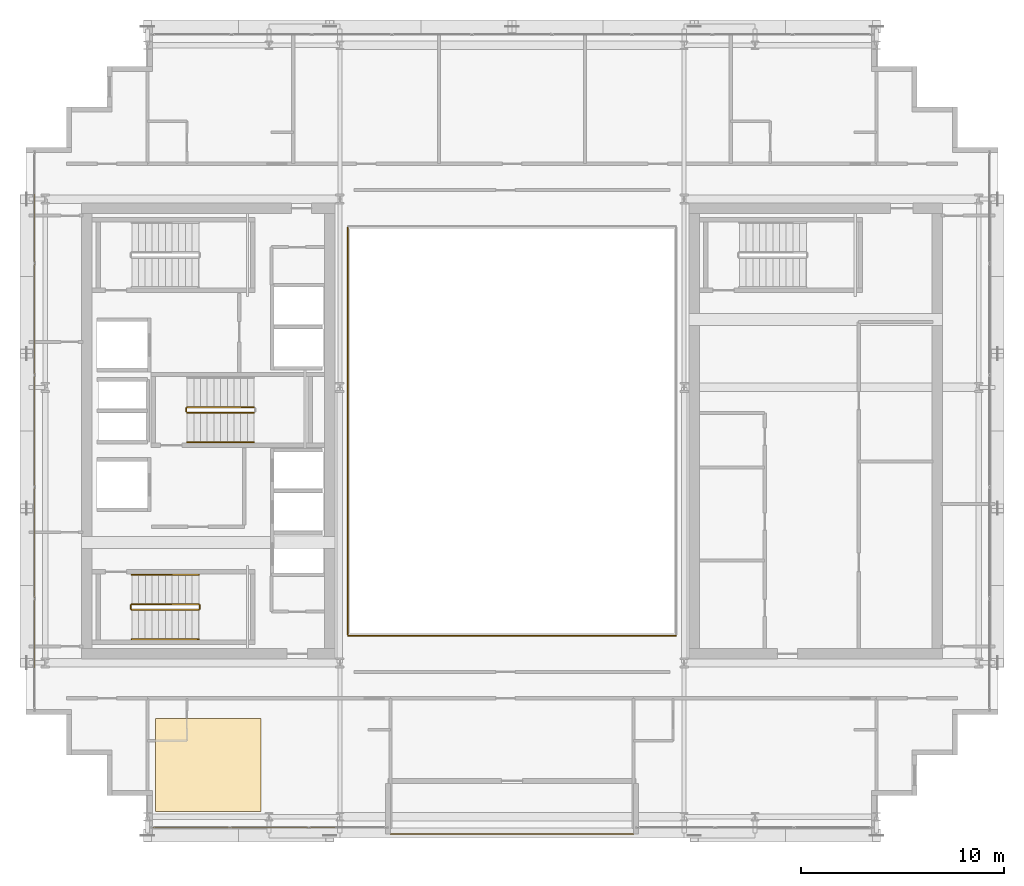
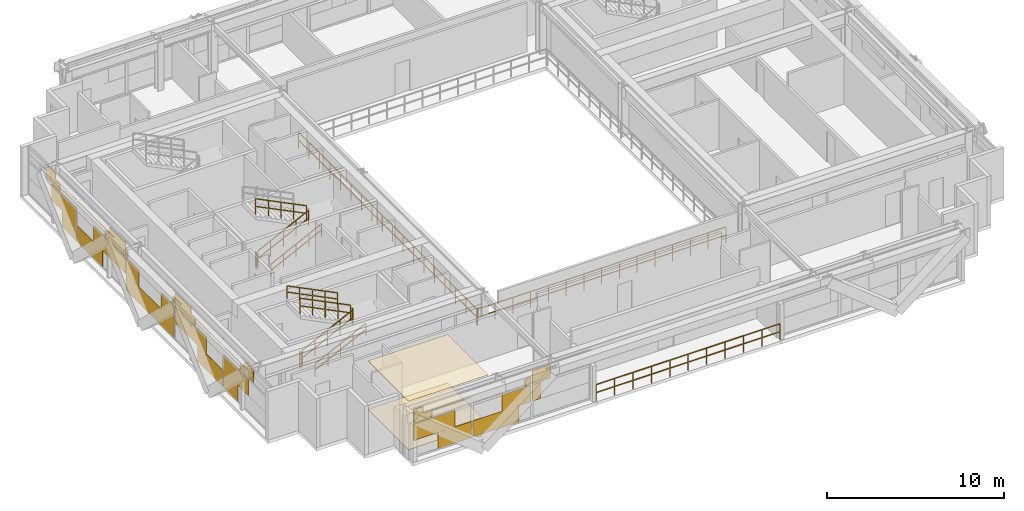
# One storey, part 28 of 31: 13 railings, 4 coverings.
"""IFC4 building model written with IfcOpenShell, lengths in metres."""

from ifc_helpers import new_model, si_unit, direction, frame, origin, origin_2d, place, context, subcontext, project, spatial, polyline, rectangle, outline, extrude, material, layer, layer_set, type_object, element, save


model = new_model("IFC4")

# Units and contexts
model_context = context("Model", 3, precision=1e-05, world=origin(), true_north=direction((0.0, 1.0)))
body_context = subcontext(model_context, "Body", "Model", "MODEL_VIEW")
ifc_project = project(units=[si_unit("LENGTHUNIT", "METRE"), si_unit("AREAUNIT", "SQUARE_METRE"), si_unit("VOLUMEUNIT", "CUBIC_METRE"), si_unit("PLANEANGLEUNIT", "RADIAN"), si_unit("MASSUNIT", "GRAM", prefix="KILO")], contexts=[model_context])

# Site, building, storey
site_placement = place(None, origin())
site = spatial("IfcSite", under=ifc_project, at=site_placement, CompositionType="ELEMENT")
building_placement = place(site_placement, origin())
building = spatial("IfcBuilding", under=site, at=building_placement, Name="Ocotamira Hotel", CompositionType="ELEMENT")
storey_placement = place(building_placement, frame((0.0, 0.0, 199.199951171875)))
storey = spatial("IfcBuildingStorey", under=building, at=storey_placement, Name="L50", CompositionType="ELEMENT", Elevation=199.199951171875)

# Coverings
ifc_material_1 = material(Name="Perforated acoustic gypsum ceiling board", Category="gypsum")
ifc_layer_1 = layer(ifc_material_1, 0.02490234375)
ifc_layer_set_1 = layer_set([ifc_layer_1], Name="Perforated acoustic gypsum ceiling board")
covering_type_1 = type_object("IfcCoveringType", Name="COV-CEIL-25", PredefinedType="CEILING", material=ifc_layer_set_1)
covering_1_placement = place(storey_placement, frame((0.0, 0.0, 3.344970703125)))
element("IfcCovering", 1, at=covering_1_placement, inside=storey, type_object=covering_type_1, Name="L50 Acoustic Ceiling", PredefinedType="CEILING", context=body_context, shape_type="SweptSolid", body=[
    extrude(outline(polyline([(14.39990234375, 7.199951171875), (19.60009765625, 7.199951171875), (19.60009765625, 11.800048828125), (14.39990234375, 11.800048828125), (14.39990234375, 7.199951171875)])), origin(), (0.0, 0.0, 1.0), 0.025146484375),
])
ifc_material_2 = material(Name="Honed desert travertine stone flooring", Category="masonry")
ifc_layer_2 = layer(ifc_material_2, 0.030029296875)
ifc_layer_set_2 = layer_set([ifc_layer_2], Name="Honed desert travertine stone flooring")
covering_type_2 = type_object("IfcCoveringType", Name="COV-FLOR-30", PredefinedType="FLOORING", material=ifc_layer_set_2)
covering_2_placement = place(storey_placement, origin())
element("IfcCovering", 2, at=covering_2_placement, inside=storey, type_object=covering_type_2, Name="L50 Honed Stone Floor Finish", PredefinedType="FLOORING", context=body_context, shape_type="SweptSolid", body=[
    extrude(outline(polyline([(14.39990234375, 7.199951171875), (19.60009765625, 7.199951171875), (19.60009765625, 11.800048828125), (14.39990234375, 11.800048828125), (14.39990234375, 7.199951171875)])), origin(), (0.0, 0.0, 1.0), 0.030029296875),
])
ifc_material_3 = material(Name="Insulated pale-metal aluminium spandrel panel", Category="aluminium")
ifc_layer_3 = layer(ifc_material_3, 0.044921875)
ifc_layer_set_3 = layer_set([ifc_layer_3], Name="Insulated pale-metal aluminium spandrel panel")
covering_type_3 = type_object("IfcCoveringType", Name="COV-INFILL-45", PredefinedType="CLADDING", material=ifc_layer_set_3)
covering_3_placement = place(storey_placement, origin())
element("IfcCovering", 3, at=covering_3_placement, inside=storey, type_object=covering_type_3, Name="L50 Curtain Wall Infill CW-4 CW-L50-S1", PredefinedType="CLADDING", context=body_context, shape_type="SweptSolid", body=[
    extrude(rectangle(XDim=2.68701171875, YDim=0.044921875, at=origin_2d()), frame((15.6240234375, 6.419921875, 1.1943359375), z_axis=(0.0, 0.0, 1.0), x_axis=(1.0, 0.0, 0.0)), (0.0, 0.0, 1.0), 1.11767578125),
    extrude(rectangle(XDim=2.19482421875, YDim=0.044921875, at=origin_2d()), frame((16.9453125, 6.419921875, 0.07568359375), z_axis=(0.0, 0.0, 1.0), x_axis=(1.0, 0.0, 0.0)), (0.0, 0.0, 1.0), 1.117919921875),
    extrude(rectangle(XDim=1.19482421875, YDim=0.044921875, at=origin_2d()), frame((14.8779296875, 6.419921875, 2.38818359375), z_axis=(0.0, 0.0, 1.0), x_axis=(1.0, 0.0, 0.0)), (0.0, 0.0, 1.0), 0.442626953125),
    extrude(rectangle(XDim=3.76220703125, YDim=0.044921875, at=origin_2d()), frame((16.16162109375, 6.419921875, 2.83154296875), z_axis=(0.0, 0.0, 1.0), x_axis=(1.0, 0.0, 0.0)), (0.0, 0.0, 1.0), 0.0302734375),
    extrude(rectangle(XDim=0.601318359375, YDim=0.044921875, at=origin_2d()), frame((14.581298828125, 6.419921875, 2.863037109375), z_axis=(0.0, 0.0, 1.0), x_axis=(1.0, 0.0, 0.0)), (0.0, 0.0, 1.0), 0.431640625),
    extrude(rectangle(XDim=3.028076171875, YDim=0.044921875, at=origin_2d()), frame((19.637939453125, 6.419921875, 0.07568359375), z_axis=(0.0, 0.0, 1.0), x_axis=(1.0, 0.0, 0.0)), (0.0, 0.0, 1.0), 1.117919921875),
    extrude(rectangle(XDim=1.893798828125, YDim=0.044921875, at=origin_2d()), frame((20.979248046875, 6.419921875, 1.1943359375), z_axis=(0.0, 0.0, 1.0), x_axis=(1.0, 0.0, 0.0)), (0.0, 0.0, 1.0), 1.11767578125),
    extrude(rectangle(XDim=0.401611328125, YDim=0.044921875, at=origin_2d()), frame((21.725341796875, 6.419921875, 2.38818359375), z_axis=(0.0, 0.0, 1.0), x_axis=(1.0, 0.0, 0.0)), (0.0, 0.0, 1.0), 0.473876953125),
    extrude(rectangle(XDim=0.543212890625, YDim=0.044921875, at=origin_2d()), frame((22.27880859375, 6.419921875, 1.1943359375), z_axis=(0.0, 0.0, 1.0), x_axis=(1.0, 0.0, 0.0)), (0.0, 0.0, 1.0), 1.11767578125),
    extrude(rectangle(XDim=1.19140625, YDim=0.044921875, at=origin_2d()), frame((22.602783203125, 6.419921875, 2.38818359375), z_axis=(0.0, 0.0, 1.0), x_axis=(1.0, 0.0, 0.0)), (0.0, 0.0, 1.0), 0.442626953125),
    extrude(rectangle(XDim=1.23046875, YDim=0.044921875, at=origin_2d()), frame((22.622314453125, 6.419921875, 2.83154296875), z_axis=(0.0, 0.0, 1.0), x_axis=(1.0, 0.0, 0.0)), (0.0, 0.0, 1.0), 0.462890625),
])
covering_4_placement = place(storey_placement, origin())
element("IfcCovering", 4, at=covering_4_placement, inside=storey, type_object=covering_type_3, Name="L50 Curtain Wall Infill CW-4 CW-L50-W", PredefinedType="CLADDING", context=body_context, shape_type="SweptSolid", body=[
    extrude(rectangle(XDim=2.782958984375, YDim=0.044921875, at=origin_2d()), frame((8.419921875, 16.2880859375, 1.1943359375), z_axis=(0.0, 0.0, 1.0), x_axis=(0.0, 1.0, 0.0)), (0.0, 0.0, 1.0), 1.11767578125),
    extrude(rectangle(XDim=1.596923828125, YDim=0.044921875, at=origin_2d()), frame((8.419921875, 16.881103515625, 0.07568359375), z_axis=(0.0, 0.0, 1.0), x_axis=(0.0, 1.0, 0.0)), (0.0, 0.0, 1.0), 1.117919921875),
    extrude(rectangle(XDim=3.38720703125, YDim=0.044921875, at=origin_2d()), frame((8.419921875, 15.98583984375, 2.848876953125), z_axis=(0.0, 0.0, 1.0), x_axis=(0.0, 1.0, 0.0)), (0.0, 0.0, 1.0), 0.033203125),
    extrude(rectangle(XDim=1.019287109375, YDim=0.044921875, at=origin_2d()), frame((8.419921875, 14.8017578125, 2.883056640625), z_axis=(0.0, 0.0, 1.0), x_axis=(0.0, 1.0, 0.0)), (0.0, 0.0, 1.0), 0.41162109375),
    extrude(rectangle(XDim=1.507568359375, YDim=0.044921875, at=origin_2d()), frame((8.419921875, 15.082275390625, 2.38818359375), z_axis=(0.0, 0.0, 1.0), x_axis=(0.0, 1.0, 0.0)), (0.0, 0.0, 1.0), 0.459716796875),
    extrude(rectangle(XDim=2.89013671875, YDim=0.044921875, at=origin_2d()), frame((8.419921875, 19.20556640625, 0.07568359375), z_axis=(0.0, 0.0, 1.0), x_axis=(0.0, 1.0, 0.0)), (0.0, 0.0, 1.0), 1.117919921875),
    extrude(rectangle(XDim=3.568115234375, YDim=0.044921875, at=origin_2d()), frame((8.419921875, 21.41552734375, 1.1943359375), z_axis=(0.0, 0.0, 1.0), x_axis=(0.0, 1.0, 0.0)), (0.0, 0.0, 1.0), 1.11767578125),
    extrude(rectangle(XDim=5.43896484375, YDim=0.044921875, at=origin_2d()), frame((8.419921875, 20.47998046875, 2.848876953125), z_axis=(0.0, 0.0, 1.0), x_axis=(0.0, 1.0, 0.0)), (0.0, 0.0, 1.0), 0.033203125),
    extrude(rectangle(XDim=2.302490234375, YDim=0.044921875, at=origin_2d()), frame((8.419921875, 22.04833984375, 2.38818359375), z_axis=(0.0, 0.0, 1.0), x_axis=(0.0, 1.0, 0.0)), (0.0, 0.0, 1.0), 0.459716796875),
    extrude(rectangle(XDim=1.777587890625, YDim=0.044921875, at=origin_2d()), frame((8.419921875, 22.310791015625, 2.883056640625), z_axis=(0.0, 0.0, 1.0), x_axis=(0.0, 1.0, 0.0)), (0.0, 0.0, 1.0), 0.41162109375),
    extrude(rectangle(XDim=5.43896484375, YDim=0.044921875, at=origin_2d()), frame((8.419921875, 26.0, 0.07568359375), z_axis=(0.0, 0.0, 1.0), x_axis=(0.0, 1.0, 0.0)), (0.0, 0.0, 1.0), 1.117919921875),
    extrude(rectangle(XDim=1.45458984375, YDim=0.044921875, at=origin_2d()), frame((8.419921875, 24.0078125, 1.1943359375), z_axis=(0.0, 0.0, 1.0), x_axis=(0.0, 1.0, 0.0)), (0.0, 0.0, 1.0), 1.11767578125),
    extrude(rectangle(XDim=1.45458984375, YDim=0.044921875, at=origin_2d()), frame((8.419921875, 27.9921875, 1.1943359375), z_axis=(0.0, 0.0, 1.0), x_axis=(0.0, 1.0, 0.0)), (0.0, 0.0, 1.0), 1.11767578125),
    extrude(rectangle(XDim=0.18896484375, YDim=0.044921875, at=origin_2d()), frame((8.419921875, 23.375, 2.38818359375), z_axis=(0.0, 0.0, 1.0), x_axis=(0.0, 1.0, 0.0)), (0.0, 0.0, 1.0), 0.493896484375),
    extrude(rectangle(XDim=0.18896484375, YDim=0.044921875, at=origin_2d()), frame((8.419921875, 28.625, 2.38818359375), z_axis=(0.0, 0.0, 1.0), x_axis=(0.0, 1.0, 0.0)), (0.0, 0.0, 1.0), 0.493896484375),
    extrude(rectangle(XDim=3.568115234375, YDim=0.044921875, at=origin_2d()), frame((8.419921875, 30.58447265625, 1.1943359375), z_axis=(0.0, 0.0, 1.0), x_axis=(0.0, 1.0, 0.0)), (0.0, 0.0, 1.0), 1.11767578125),
    extrude(rectangle(XDim=2.89013671875, YDim=0.044921875, at=origin_2d()), frame((8.419921875, 32.79443359375, 0.07568359375), z_axis=(0.0, 0.0, 1.0), x_axis=(0.0, 1.0, 0.0)), (0.0, 0.0, 1.0), 1.117919921875),
    extrude(rectangle(XDim=2.302490234375, YDim=0.044921875, at=origin_2d()), frame((8.419921875, 29.95166015625, 2.38818359375), z_axis=(0.0, 0.0, 1.0), x_axis=(0.0, 1.0, 0.0)), (0.0, 0.0, 1.0), 0.459716796875),
    extrude(rectangle(XDim=5.43896484375, YDim=0.044921875, at=origin_2d()), frame((8.419921875, 31.52001953125, 2.848876953125), z_axis=(0.0, 0.0, 1.0), x_axis=(0.0, 1.0, 0.0)), (0.0, 0.0, 1.0), 0.033203125),
    extrude(rectangle(XDim=1.777587890625, YDim=0.044921875, at=origin_2d()), frame((8.419921875, 29.689208984375, 2.883056640625), z_axis=(0.0, 0.0, 1.0), x_axis=(0.0, 1.0, 0.0)), (0.0, 0.0, 1.0), 0.41162109375),
    extrude(rectangle(XDim=1.596923828125, YDim=0.044921875, at=origin_2d()), frame((8.419921875, 35.118896484375, 0.07568359375), z_axis=(0.0, 0.0, 1.0), x_axis=(0.0, 1.0, 0.0)), (0.0, 0.0, 1.0), 1.117919921875),
    extrude(rectangle(XDim=2.782958984375, YDim=0.044921875, at=origin_2d()), frame((8.419921875, 35.7119140625, 1.1943359375), z_axis=(0.0, 0.0, 1.0), x_axis=(0.0, 1.0, 0.0)), (0.0, 0.0, 1.0), 1.11767578125),
    extrude(rectangle(XDim=3.38720703125, YDim=0.044921875, at=origin_2d()), frame((8.419921875, 36.01416015625, 2.848876953125), z_axis=(0.0, 0.0, 1.0), x_axis=(0.0, 1.0, 0.0)), (0.0, 0.0, 1.0), 0.033203125),
    extrude(rectangle(XDim=1.507568359375, YDim=0.044921875, at=origin_2d()), frame((8.419921875, 36.917724609375, 2.38818359375), z_axis=(0.0, 0.0, 1.0), x_axis=(0.0, 1.0, 0.0)), (0.0, 0.0, 1.0), 0.459716796875),
    extrude(rectangle(XDim=1.019287109375, YDim=0.044921875, at=origin_2d()), frame((8.419921875, 37.1982421875, 2.883056640625), z_axis=(0.0, 0.0, 1.0), x_axis=(0.0, 1.0, 0.0)), (0.0, 0.0, 1.0), 0.41162109375),
])

# Railings
ifc_material_4 = material(Name="Laminated glass and pale-metal balustrade", Category="glass")
railing_type_1 = type_object("IfcRailingType", Name="RL-BAL-1150", PredefinedType="BALUSTRADE", material=ifc_material_4)
railing_1_placement = place(storey_placement, frame((26.0, 6.10009765625, 0.0)))
element("IfcRailing", 5, at=railing_1_placement, inside=storey, type_object=railing_type_1, Name="L50 Sky Terrace Balustrade 1", PredefinedType="BALUSTRADE", context=body_context, shape_type="SweptSolid", body=[
    extrude(rectangle(XDim=0.048095703125, YDim=0.048095703125, at=origin_2d()), frame((0.0, 0.0, 1.1259765625), z_axis=(1.0, 0.0, 0.0), x_axis=(0.0, 1.0, 0.0)), (0.0, 0.0, 1.0), 12.0),
    extrude(rectangle(XDim=0.048095703125, YDim=0.048095703125, at=origin_2d()), frame((0.0, 0.0, 0.574951171875), z_axis=(1.0, 0.0, 0.0), x_axis=(0.0, 1.0, 0.0)), (0.0, 0.0, 1.0), 12.0),
    extrude(rectangle(XDim=0.0419921875, YDim=0.0419921875, at=origin_2d()), origin(), (0.0, 0.0, 1.0), 1.101806640625),
    extrude(rectangle(XDim=0.0419921875, YDim=0.0419921875, at=origin_2d()), frame((1.199951171875, 0.0, 0.0)), (0.0, 0.0, 1.0), 1.101806640625),
    extrude(rectangle(XDim=0.0419921875, YDim=0.0419921875, at=origin_2d()), frame((2.39990234375, 0.0, 0.0)), (0.0, 0.0, 1.0), 1.101806640625),
    extrude(rectangle(XDim=0.0419921875, YDim=0.0419921875, at=origin_2d()), frame((3.60009765625, 0.0, 0.0)), (0.0, 0.0, 1.0), 1.101806640625),
    extrude(rectangle(XDim=0.0419921875, YDim=0.0419921875, at=origin_2d()), frame((4.800048828125, 0.0, 0.0)), (0.0, 0.0, 1.0), 1.101806640625),
    extrude(rectangle(XDim=0.0419921875, YDim=0.0419921875, at=origin_2d()), frame((6.0, 0.0, 0.0)), (0.0, 0.0, 1.0), 1.101806640625),
    extrude(rectangle(XDim=0.0419921875, YDim=0.0419921875, at=origin_2d()), frame((7.199951171875, 0.0, 0.0)), (0.0, 0.0, 1.0), 1.101806640625),
    extrude(rectangle(XDim=0.0419921875, YDim=0.0419921875, at=origin_2d()), frame((8.39990234375, 0.0, 0.0)), (0.0, 0.0, 1.0), 1.101806640625),
    extrude(rectangle(XDim=0.0419921875, YDim=0.0419921875, at=origin_2d()), frame((9.60009765625, 0.0, 0.0)), (0.0, 0.0, 1.0), 1.101806640625),
    extrude(rectangle(XDim=0.0419921875, YDim=0.0419921875, at=origin_2d()), frame((10.800048828125, 0.0, 0.0)), (0.0, 0.0, 1.0), 1.101806640625),
    extrude(rectangle(XDim=0.0419921875, YDim=0.0419921875, at=origin_2d()), frame((12.0, 0.0, 0.0)), (0.0, 0.0, 1.0), 1.101806640625),
])
ifc_material_5 = material(Name="Painted steel stair guardrail", Category="steel")
railing_type_2 = type_object("IfcRailingType", Name="RL-EDGE-1150", PredefinedType="GUARDRAIL", material=ifc_material_5)
railing_2_placement = place(storey_placement, frame((23.89990234375, 15.8798828125, 0.0)))
element("IfcRailing", 6, at=railing_2_placement, inside=storey, type_object=railing_type_2, Name="L50 Central Atrium Edge Guardrail S", PredefinedType="GUARDRAIL", context=body_context, shape_type="SweptSolid", body=[
    extrude(rectangle(XDim=0.048095703125, YDim=0.048095703125, at=origin_2d()), frame((0.0, 0.0, 1.1259765625), z_axis=(1.0, 0.0, 0.0), x_axis=(0.0, 1.0, 0.0)), (0.0, 0.0, 1.0), 16.2001953125),
    extrude(rectangle(XDim=0.048095703125, YDim=0.048095703125, at=origin_2d()), frame((0.0, 0.0, 0.574951171875), z_axis=(1.0, 0.0, 0.0), x_axis=(0.0, 1.0, 0.0)), (0.0, 0.0, 1.0), 16.2001953125),
    extrude(rectangle(XDim=0.0419921875, YDim=0.0419921875, at=origin_2d()), origin(), (0.0, 0.0, 1.0), 1.101806640625),
    extrude(rectangle(XDim=0.0419921875, YDim=0.0419921875, at=origin_2d()), frame((1.1572265625, 0.0, 0.0)), (0.0, 0.0, 1.0), 1.101806640625),
    extrude(rectangle(XDim=0.0419921875, YDim=0.0419921875, at=origin_2d()), frame((2.314208984375, 0.0, 0.0)), (0.0, 0.0, 1.0), 1.101806640625),
    extrude(rectangle(XDim=0.0419921875, YDim=0.0419921875, at=origin_2d()), frame((3.471435546875, 0.0, 0.0)), (0.0, 0.0, 1.0), 1.101806640625),
    extrude(rectangle(XDim=0.0419921875, YDim=0.0419921875, at=origin_2d()), frame((4.628662109375, 0.0, 0.0)), (0.0, 0.0, 1.0), 1.101806640625),
    extrude(rectangle(XDim=0.0419921875, YDim=0.0419921875, at=origin_2d()), frame((5.785888671875, 0.0, 0.0)), (0.0, 0.0, 1.0), 1.101806640625),
    extrude(rectangle(XDim=0.0419921875, YDim=0.0419921875, at=origin_2d()), frame((6.94287109375, 0.0, 0.0)), (0.0, 0.0, 1.0), 1.101806640625),
    extrude(rectangle(XDim=0.0419921875, YDim=0.0419921875, at=origin_2d()), frame((8.10009765625, 0.0, 0.0)), (0.0, 0.0, 1.0), 1.101806640625),
    extrude(rectangle(XDim=0.0419921875, YDim=0.0419921875, at=origin_2d()), frame((9.25732421875, 0.0, 0.0)), (0.0, 0.0, 1.0), 1.101806640625),
    extrude(rectangle(XDim=0.0419921875, YDim=0.0419921875, at=origin_2d()), frame((10.414306640625, 0.0, 0.0)), (0.0, 0.0, 1.0), 1.101806640625),
    extrude(rectangle(XDim=0.0419921875, YDim=0.0419921875, at=origin_2d()), frame((11.571533203125, 0.0, 0.0)), (0.0, 0.0, 1.0), 1.101806640625),
    extrude(rectangle(XDim=0.0419921875, YDim=0.0419921875, at=origin_2d()), frame((12.728759765625, 0.0, 0.0)), (0.0, 0.0, 1.0), 1.101806640625),
    extrude(rectangle(XDim=0.0419921875, YDim=0.0419921875, at=origin_2d()), frame((13.885986328125, 0.0, 0.0)), (0.0, 0.0, 1.0), 1.101806640625),
    extrude(rectangle(XDim=0.0419921875, YDim=0.0419921875, at=origin_2d()), frame((15.04296875, 0.0, 0.0)), (0.0, 0.0, 1.0), 1.101806640625),
    extrude(rectangle(XDim=0.0419921875, YDim=0.0419921875, at=origin_2d()), frame((16.2001953125, 0.0, 0.0)), (0.0, 0.0, 1.0), 1.101806640625),
])
railing_3_placement = place(storey_placement, frame((23.8798828125, 36.0400390625, 0.0)))
element("IfcRailing", 7, at=railing_3_placement, inside=storey, type_object=railing_type_2, Name="L50 Central Atrium Edge Guardrail W", PredefinedType="GUARDRAIL", context=body_context, shape_type="SweptSolid", body=[
    extrude(rectangle(XDim=0.048095703125, YDim=0.048095703125, at=origin_2d()), frame((0.0, 0.0, 1.1259765625), z_axis=(0.0, -1.0, 0.0), x_axis=(1.0, 0.0, 0.0)), (0.0, 0.0, 1.0), 20.080078125),
    extrude(rectangle(XDim=0.048095703125, YDim=0.048095703125, at=origin_2d()), frame((0.0, 0.0, 0.574951171875), z_axis=(0.0, -1.0, 0.0), x_axis=(1.0, 0.0, 0.0)), (0.0, 0.0, 1.0), 20.080078125),
    extrude(rectangle(XDim=0.0419921875, YDim=0.0419921875, at=origin_2d()), origin(), (0.0, 0.0, 1.0), 1.101806640625),
    extrude(rectangle(XDim=0.0419921875, YDim=0.0419921875, at=origin_2d()), frame((0.0, -1.18115234375, 0.0)), (0.0, 0.0, 1.0), 1.101806640625),
    extrude(rectangle(XDim=0.0419921875, YDim=0.0419921875, at=origin_2d()), frame((0.0, -2.3623046875, 0.0)), (0.0, 0.0, 1.0), 1.101806640625),
    extrude(rectangle(XDim=0.0419921875, YDim=0.0419921875, at=origin_2d()), frame((0.0, -3.54345703125, 0.0)), (0.0, 0.0, 1.0), 1.101806640625),
    extrude(rectangle(XDim=0.0419921875, YDim=0.0419921875, at=origin_2d()), frame((0.0, -4.724609375, 0.0)), (0.0, 0.0, 1.0), 1.101806640625),
    extrude(rectangle(XDim=0.0419921875, YDim=0.0419921875, at=origin_2d()), frame((0.0, -5.906005859375, 0.0)), (0.0, 0.0, 1.0), 1.101806640625),
    extrude(rectangle(XDim=0.0419921875, YDim=0.0419921875, at=origin_2d()), frame((0.0, -7.087158203125, 0.0)), (0.0, 0.0, 1.0), 1.101806640625),
    extrude(rectangle(XDim=0.0419921875, YDim=0.0419921875, at=origin_2d()), frame((0.0, -8.268310546875, 0.0)), (0.0, 0.0, 1.0), 1.101806640625),
    extrude(rectangle(XDim=0.0419921875, YDim=0.0419921875, at=origin_2d()), frame((0.0, -9.449462890625, 0.0)), (0.0, 0.0, 1.0), 1.101806640625),
    extrude(rectangle(XDim=0.0419921875, YDim=0.0419921875, at=origin_2d()), frame((0.0, -10.630615234375, 0.0)), (0.0, 0.0, 1.0), 1.101806640625),
    extrude(rectangle(XDim=0.0419921875, YDim=0.0419921875, at=origin_2d()), frame((0.0, -11.811767578125, 0.0)), (0.0, 0.0, 1.0), 1.101806640625),
    extrude(rectangle(XDim=0.0419921875, YDim=0.0419921875, at=origin_2d()), frame((0.0, -12.992919921875, 0.0)), (0.0, 0.0, 1.0), 1.101806640625),
    extrude(rectangle(XDim=0.0419921875, YDim=0.0419921875, at=origin_2d()), frame((0.0, -14.174072265625, 0.0)), (0.0, 0.0, 1.0), 1.101806640625),
    extrude(rectangle(XDim=0.0419921875, YDim=0.0419921875, at=origin_2d()), frame((0.0, -15.35546875, 0.0)), (0.0, 0.0, 1.0), 1.101806640625),
    extrude(rectangle(XDim=0.0419921875, YDim=0.0419921875, at=origin_2d()), frame((0.0, -16.53662109375, 0.0)), (0.0, 0.0, 1.0), 1.101806640625),
    extrude(rectangle(XDim=0.0419921875, YDim=0.0419921875, at=origin_2d()), frame((0.0, -17.7177734375, 0.0)), (0.0, 0.0, 1.0), 1.101806640625),
    extrude(rectangle(XDim=0.0419921875, YDim=0.0419921875, at=origin_2d()), frame((0.0, -18.89892578125, 0.0)), (0.0, 0.0, 1.0), 1.101806640625),
    extrude(rectangle(XDim=0.0419921875, YDim=0.0419921875, at=origin_2d()), frame((0.0, -20.080078125, 0.0)), (0.0, 0.0, 1.0), 1.101806640625),
])
ifc_material_6 = material(Name="Brushed stainless steel handrail", Category="steel")
railing_type_3 = type_object("IfcRailingType", Name="RL-HAND-900", PredefinedType="HANDRAIL", material=ifc_material_6)
railing_4_placement = place(storey_placement, frame((13.22998046875, 15.719970703125, 0.327392578125)))
element("IfcRailing", 8, at=railing_4_placement, inside=storey, type_object=railing_type_3, Name="L50 ST-1 stair handrail 1", PredefinedType="HANDRAIL", context=body_context, shape_type="SweptSolid", body=[
    extrude(rectangle(XDim=0.048095703125, YDim=0.048095703125, at=origin_2d()), frame((0.0, 0.0, 0.8759765625), z_axis=(0.895920123917, 0.0, 0.444215186098), x_axis=(0.0, 1.0, 0.0)), (0.0, 0.0, 1.0), 3.683349609375),
    extrude(rectangle(XDim=0.048095703125, YDim=0.048095703125, at=origin_2d()), frame((0.0, 0.0, 0.449951171875), z_axis=(0.895920123917, 0.0, 0.444215186098), x_axis=(0.0, 1.0, 0.0)), (0.0, 0.0, 1.0), 3.683349609375),
    extrude(rectangle(XDim=0.0419921875, YDim=0.0419921875, at=origin_2d()), origin(), (0.0, 0.0, 1.0), 0.851806640625),
    extrude(rectangle(XDim=0.0419921875, YDim=0.0419921875, at=origin_2d()), frame((0.824951171875, 0.0, 0.4091796875)), (0.0, 0.0, 1.0), 0.851806640625),
    extrude(rectangle(XDim=0.0419921875, YDim=0.0419921875, at=origin_2d()), frame((1.64990234375, 0.0, 0.818115234375)), (0.0, 0.0, 1.0), 0.851806640625),
    extrude(rectangle(XDim=0.0419921875, YDim=0.0419921875, at=origin_2d()), frame((2.47509765625, 0.0, 1.22705078125)), (0.0, 0.0, 1.0), 0.851806640625),
    extrude(rectangle(XDim=0.0419921875, YDim=0.0419921875, at=origin_2d()), frame((3.300048828125, 0.0, 1.63623046875)), (0.0, 0.0, 1.0), 0.851806640625),
])
railing_5_placement = place(storey_placement, frame((16.530029296875, 18.89990234375, 2.12744140625)))
element("IfcRailing", 9, at=railing_5_placement, inside=storey, type_object=railing_type_3, Name="L50 ST-1 stair handrail 2", PredefinedType="HANDRAIL", context=body_context, shape_type="SweptSolid", body=[
    extrude(rectangle(XDim=0.048095703125, YDim=0.048095703125, at=origin_2d()), frame((0.0, 0.0, 0.8759765625), z_axis=(-0.895920123917, 0.0, 0.444215186098), x_axis=(0.0, -1.0, 0.0)), (0.0, 0.0, 1.0), 3.683349609375),
    extrude(rectangle(XDim=0.048095703125, YDim=0.048095703125, at=origin_2d()), frame((0.0, 0.0, 0.449951171875), z_axis=(-0.895920123917, 0.0, 0.444215186098), x_axis=(0.0, -1.0, 0.0)), (0.0, 0.0, 1.0), 3.683349609375),
    extrude(rectangle(XDim=0.0419921875, YDim=0.0419921875, at=origin_2d()), origin(), (0.0, 0.0, 1.0), 0.851806640625),
    extrude(rectangle(XDim=0.0419921875, YDim=0.0419921875, at=origin_2d()), frame((-0.824951171875, 0.0, 0.4091796875)), (0.0, 0.0, 1.0), 0.851806640625),
    extrude(rectangle(XDim=0.0419921875, YDim=0.0419921875, at=origin_2d()), frame((-1.64990234375, 0.0, 0.818115234375)), (0.0, 0.0, 1.0), 0.851806640625),
    extrude(rectangle(XDim=0.0419921875, YDim=0.0419921875, at=origin_2d()), frame((-2.47509765625, 0.0, 1.22705078125)), (0.0, 0.0, 1.0), 0.851806640625),
    extrude(rectangle(XDim=0.0419921875, YDim=0.0419921875, at=origin_2d()), frame((-3.300048828125, 0.0, 1.63623046875)), (0.0, 0.0, 1.0), 0.851806640625),
])
railing_6_placement = place(storey_placement, frame((15.9599609375, 25.449951171875, 0.327392578125)))
element("IfcRailing", 10, at=railing_6_placement, inside=storey, type_object=railing_type_3, Name="L50 ST-3 stair handrail 1", PredefinedType="HANDRAIL", context=body_context, shape_type="SweptSolid", body=[
    extrude(rectangle(XDim=0.048095703125, YDim=0.048095703125, at=origin_2d()), frame((0.0, 0.0, 0.8759765625), z_axis=(0.895920123917, 0.0, 0.444215186098), x_axis=(0.0, 1.0, 0.0)), (0.0, 0.0, 1.0), 3.683349609375),
    extrude(rectangle(XDim=0.048095703125, YDim=0.048095703125, at=origin_2d()), frame((0.0, 0.0, 0.449951171875), z_axis=(0.895920123917, 0.0, 0.444215186098), x_axis=(0.0, 1.0, 0.0)), (0.0, 0.0, 1.0), 3.683349609375),
    extrude(rectangle(XDim=0.0419921875, YDim=0.0419921875, at=origin_2d()), origin(), (0.0, 0.0, 1.0), 0.851806640625),
    extrude(rectangle(XDim=0.0419921875, YDim=0.0419921875, at=origin_2d()), frame((0.824951171875, 0.0, 0.4091796875)), (0.0, 0.0, 1.0), 0.851806640625),
    extrude(rectangle(XDim=0.0419921875, YDim=0.0419921875, at=origin_2d()), frame((1.64990234375, 0.0, 0.818115234375)), (0.0, 0.0, 1.0), 0.851806640625),
    extrude(rectangle(XDim=0.0419921875, YDim=0.0419921875, at=origin_2d()), frame((2.47509765625, 0.0, 1.22705078125)), (0.0, 0.0, 1.0), 0.851806640625),
    extrude(rectangle(XDim=0.0419921875, YDim=0.0419921875, at=origin_2d()), frame((3.300048828125, 0.0, 1.63623046875)), (0.0, 0.0, 1.0), 0.851806640625),
])
railing_type_4 = type_object("IfcRailingType", Name="RL-STAIR-1100", PredefinedType="GUARDRAIL", material=ifc_material_5)
railing_7_placement = place(storey_placement, frame((13.22998046875, 17.179931640625, 0.16357421875)))
element("IfcRailing", 11, at=railing_7_placement, inside=storey, type_object=railing_type_4, Name="L50 ST-1 stair guard 1", PredefinedType="GUARDRAIL", context=body_context, shape_type="SweptSolid", body=[
    extrude(rectangle(XDim=0.048095703125, YDim=0.048095703125, at=origin_2d()), frame((0.0, 0.0, 1.076171875), z_axis=(0.895893744519, 0.0, 0.4442683857), x_axis=(0.0, 1.0, 0.0)), (0.0, 0.0, 1.0), 3.68359375),
    extrude(rectangle(XDim=0.048095703125, YDim=0.048095703125, at=origin_2d()), frame((0.0, 0.0, 0.550048828125), z_axis=(0.895893744519, 0.0, 0.4442683857), x_axis=(0.0, 1.0, 0.0)), (0.0, 0.0, 1.0), 3.68359375),
    extrude(rectangle(XDim=0.0419921875, YDim=0.0419921875, at=origin_2d()), origin(), (0.0, 0.0, 1.0), 1.052001953125),
    extrude(rectangle(XDim=0.0419921875, YDim=0.0419921875, at=origin_2d()), frame((0.824951171875, 0.0, 0.4091796875)), (0.0, 0.0, 1.0), 1.052001953125),
    extrude(rectangle(XDim=0.0419921875, YDim=0.0419921875, at=origin_2d()), frame((1.64990234375, 0.0, 0.818359375)), (0.0, 0.0, 1.0), 1.052001953125),
    extrude(rectangle(XDim=0.0419921875, YDim=0.0419921875, at=origin_2d()), frame((2.47509765625, 0.0, 1.227294921875)), (0.0, 0.0, 1.0), 1.052001953125),
    extrude(rectangle(XDim=0.0419921875, YDim=0.0419921875, at=origin_2d()), frame((3.300048828125, 0.0, 1.636474609375)), (0.0, 0.0, 1.0), 1.052001953125),
])
railing_8_placement = place(storey_placement, frame((16.580078125, 17.22998046875, 1.800048828125)))
element("IfcRailing", 12, at=railing_8_placement, inside=storey, type_object=railing_type_4, Name="L50 ST-1 stair guard 2", PredefinedType="GUARDRAIL", context=body_context, shape_type="SweptSolid", body=[
    extrude(rectangle(XDim=0.048095703125, YDim=0.048095703125, at=origin_2d()), frame((0.0, 0.0, 1.076171875), z_axis=(0.0, 1.0, 0.0), x_axis=(-1.0, 0.0, 0.0)), (0.0, 0.0, 1.0), 0.159912109375),
    extrude(rectangle(XDim=0.048095703125, YDim=0.048095703125, at=origin_2d()), frame((0.0, 0.0, 0.550048828125), z_axis=(0.0, 1.0, 0.0), x_axis=(-1.0, 0.0, 0.0)), (0.0, 0.0, 1.0), 0.159912109375),
    extrude(rectangle(XDim=0.0419921875, YDim=0.0419921875, at=origin_2d()), origin(), (0.0, 0.0, 1.0), 1.052001953125),
    extrude(rectangle(XDim=0.0419921875, YDim=0.0419921875, at=origin_2d()), frame((0.0, 0.159912109375, 0.0)), (0.0, 0.0, 1.0), 1.052001953125),
])
railing_9_placement = place(storey_placement, frame((16.530029296875, 17.43994140625, 1.963623046875)))
element("IfcRailing", 13, at=railing_9_placement, inside=storey, type_object=railing_type_4, Name="L50 ST-1 stair guard 3", PredefinedType="GUARDRAIL", context=body_context, shape_type="SweptSolid", body=[
    extrude(rectangle(XDim=0.048095703125, YDim=0.048095703125, at=origin_2d()), frame((0.0, 0.0, 1.076171875), z_axis=(-0.895893744519, 0.0, 0.4442683857), x_axis=(0.0, -1.0, 0.0)), (0.0, 0.0, 1.0), 3.68359375),
    extrude(rectangle(XDim=0.048095703125, YDim=0.048095703125, at=origin_2d()), frame((0.0, 0.0, 0.550048828125), z_axis=(-0.895893744519, 0.0, 0.4442683857), x_axis=(0.0, -1.0, 0.0)), (0.0, 0.0, 1.0), 3.68359375),
    extrude(rectangle(XDim=0.0419921875, YDim=0.0419921875, at=origin_2d()), origin(), (0.0, 0.0, 1.0), 1.052001953125),
    extrude(rectangle(XDim=0.0419921875, YDim=0.0419921875, at=origin_2d()), frame((-0.824951171875, 0.0, 0.4091796875)), (0.0, 0.0, 1.0), 1.052001953125),
    extrude(rectangle(XDim=0.0419921875, YDim=0.0419921875, at=origin_2d()), frame((-1.64990234375, 0.0, 0.818359375)), (0.0, 0.0, 1.0), 1.052001953125),
    extrude(rectangle(XDim=0.0419921875, YDim=0.0419921875, at=origin_2d()), frame((-2.47509765625, 0.0, 1.227294921875)), (0.0, 0.0, 1.0), 1.052001953125),
    extrude(rectangle(XDim=0.0419921875, YDim=0.0419921875, at=origin_2d()), frame((-3.300048828125, 0.0, 1.636474609375)), (0.0, 0.0, 1.0), 1.052001953125),
])
railing_10_placement = place(storey_placement, frame((13.179931640625, 17.22998046875, 0.0)))
element("IfcRailing", 14, at=railing_10_placement, inside=storey, type_object=railing_type_4, Name="L50 ST-1 stair guard 4", PredefinedType="GUARDRAIL", context=body_context, shape_type="SweptSolid", body=[
    extrude(rectangle(XDim=0.048095703125, YDim=0.048095703125, at=origin_2d()), frame((0.0, 0.0, 1.076171875), z_axis=(0.0, 1.0, 0.0), x_axis=(-1.0, 0.0, 0.0)), (0.0, 0.0, 1.0), 0.159912109375),
    extrude(rectangle(XDim=0.048095703125, YDim=0.048095703125, at=origin_2d()), frame((0.0, 0.0, 0.550048828125), z_axis=(0.0, 1.0, 0.0), x_axis=(-1.0, 0.0, 0.0)), (0.0, 0.0, 1.0), 0.159912109375),
    extrude(rectangle(XDim=0.0419921875, YDim=0.0419921875, at=origin_2d()), origin(), (0.0, 0.0, 1.0), 1.052001953125),
    extrude(rectangle(XDim=0.0419921875, YDim=0.0419921875, at=origin_2d()), frame((0.0, 0.159912109375, 0.0)), (0.0, 0.0, 1.0), 1.052001953125),
])
railing_11_placement = place(storey_placement, frame((15.9599609375, 26.909912109375, 0.16357421875)))
element("IfcRailing", 15, at=railing_11_placement, inside=storey, type_object=railing_type_4, Name="L50 ST-3 stair guard 1", PredefinedType="GUARDRAIL", context=body_context, shape_type="SweptSolid", body=[
    extrude(rectangle(XDim=0.048095703125, YDim=0.048095703125, at=origin_2d()), frame((0.0, 0.0, 1.076171875), z_axis=(0.895893744519, 0.0, 0.4442683857), x_axis=(0.0, 1.0, 0.0)), (0.0, 0.0, 1.0), 3.68359375),
    extrude(rectangle(XDim=0.048095703125, YDim=0.048095703125, at=origin_2d()), frame((0.0, 0.0, 0.550048828125), z_axis=(0.895893744519, 0.0, 0.4442683857), x_axis=(0.0, 1.0, 0.0)), (0.0, 0.0, 1.0), 3.68359375),
    extrude(rectangle(XDim=0.0419921875, YDim=0.0419921875, at=origin_2d()), origin(), (0.0, 0.0, 1.0), 1.052001953125),
    extrude(rectangle(XDim=0.0419921875, YDim=0.0419921875, at=origin_2d()), frame((0.824951171875, 0.0, 0.4091796875)), (0.0, 0.0, 1.0), 1.052001953125),
    extrude(rectangle(XDim=0.0419921875, YDim=0.0419921875, at=origin_2d()), frame((1.64990234375, 0.0, 0.818359375)), (0.0, 0.0, 1.0), 1.052001953125),
    extrude(rectangle(XDim=0.0419921875, YDim=0.0419921875, at=origin_2d()), frame((2.47509765625, 0.0, 1.227294921875)), (0.0, 0.0, 1.0), 1.052001953125),
    extrude(rectangle(XDim=0.0419921875, YDim=0.0419921875, at=origin_2d()), frame((3.300048828125, 0.0, 1.636474609375)), (0.0, 0.0, 1.0), 1.052001953125),
])
railing_12_placement = place(storey_placement, frame((19.260009765625, 27.169921875, 1.963623046875)))
element("IfcRailing", 16, at=railing_12_placement, inside=storey, type_object=railing_type_4, Name="L50 ST-3 stair guard 3", PredefinedType="GUARDRAIL", context=body_context, shape_type="SweptSolid", body=[
    extrude(rectangle(XDim=0.048095703125, YDim=0.048095703125, at=origin_2d()), frame((0.0, 0.0, 1.076171875), z_axis=(-0.895893744519, 0.0, 0.4442683857), x_axis=(0.0, -1.0, 0.0)), (0.0, 0.0, 1.0), 3.68359375),
    extrude(rectangle(XDim=0.048095703125, YDim=0.048095703125, at=origin_2d()), frame((0.0, 0.0, 0.550048828125), z_axis=(-0.895893744519, 0.0, 0.4442683857), x_axis=(0.0, -1.0, 0.0)), (0.0, 0.0, 1.0), 3.68359375),
    extrude(rectangle(XDim=0.0419921875, YDim=0.0419921875, at=origin_2d()), origin(), (0.0, 0.0, 1.0), 1.052001953125),
    extrude(rectangle(XDim=0.0419921875, YDim=0.0419921875, at=origin_2d()), frame((-0.824951171875, 0.0, 0.4091796875)), (0.0, 0.0, 1.0), 1.052001953125),
    extrude(rectangle(XDim=0.0419921875, YDim=0.0419921875, at=origin_2d()), frame((-1.64990234375, 0.0, 0.818359375)), (0.0, 0.0, 1.0), 1.052001953125),
    extrude(rectangle(XDim=0.0419921875, YDim=0.0419921875, at=origin_2d()), frame((-2.47509765625, 0.0, 1.227294921875)), (0.0, 0.0, 1.0), 1.052001953125),
    extrude(rectangle(XDim=0.0419921875, YDim=0.0419921875, at=origin_2d()), frame((-3.300048828125, 0.0, 1.636474609375)), (0.0, 0.0, 1.0), 1.052001953125),
])
railing_13_placement = place(storey_placement, frame((15.909912109375, 26.9599609375, 0.0)))
element("IfcRailing", 17, at=railing_13_placement, inside=storey, type_object=railing_type_4, Name="L50 ST-3 stair guard 4", PredefinedType="GUARDRAIL", context=body_context, shape_type="SweptSolid", body=[
    extrude(rectangle(XDim=0.048095703125, YDim=0.048095703125, at=origin_2d()), frame((0.0, 0.0, 1.076171875), z_axis=(0.0, 1.0, 0.0), x_axis=(-1.0, 0.0, 0.0)), (0.0, 0.0, 1.0), 0.16015625),
    extrude(rectangle(XDim=0.048095703125, YDim=0.048095703125, at=origin_2d()), frame((0.0, 0.0, 0.550048828125), z_axis=(0.0, 1.0, 0.0), x_axis=(-1.0, 0.0, 0.0)), (0.0, 0.0, 1.0), 0.16015625),
    extrude(rectangle(XDim=0.0419921875, YDim=0.0419921875, at=origin_2d()), origin(), (0.0, 0.0, 1.0), 1.052001953125),
    extrude(rectangle(XDim=0.0419921875, YDim=0.0419921875, at=origin_2d()), frame((0.0, 0.16015625, 0.0)), (0.0, 0.0, 1.0), 1.052001953125),
])

save(model, "model.ifc")
